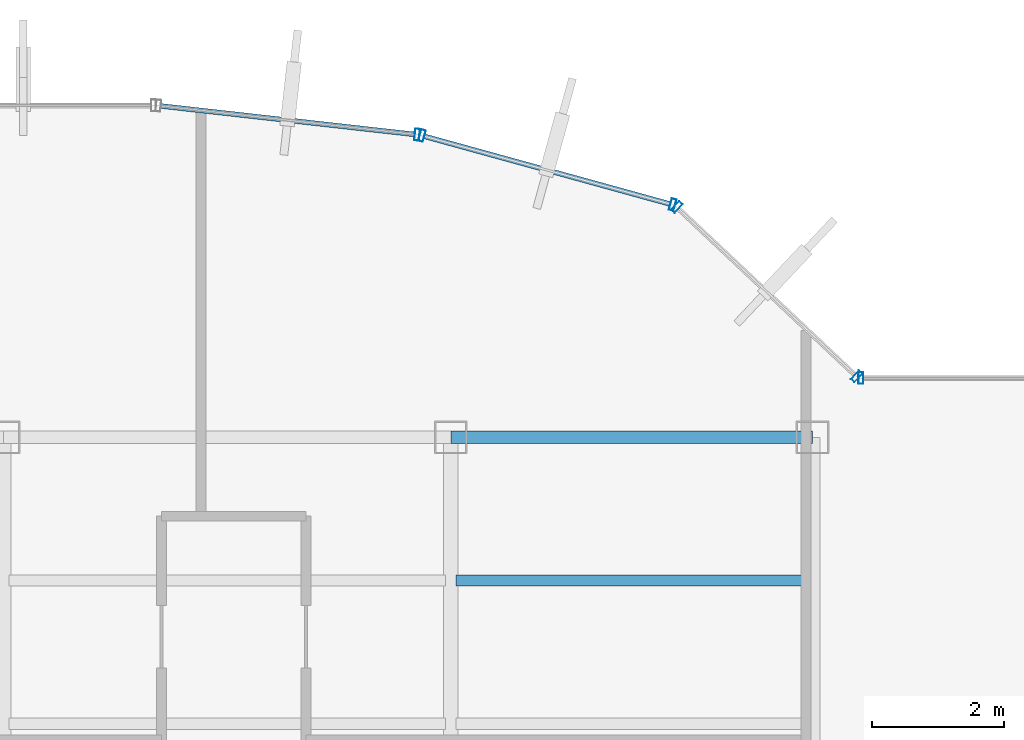
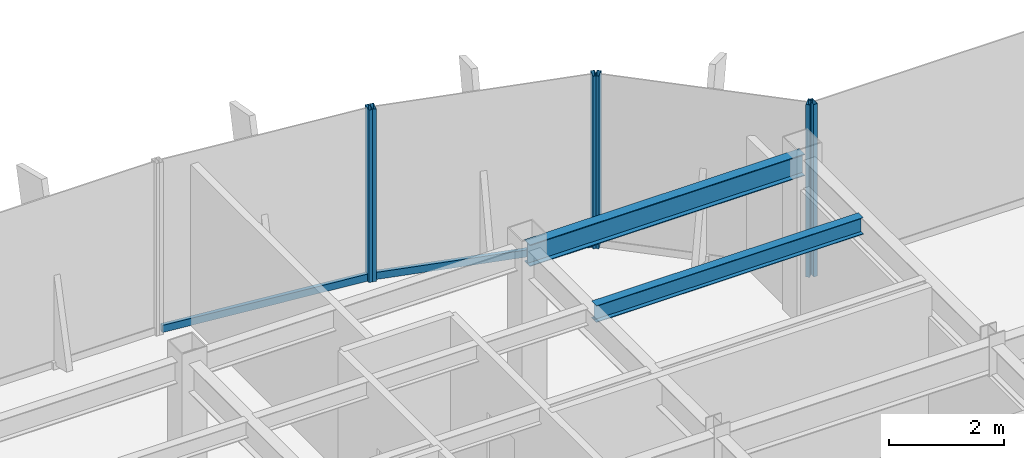
# One storey, part 14 of 22: 8 members, 2 beams, 4 elements without a shape of their own.
"""IFC4 building model written with IfcOpenShell, lengths in metres."""

from ifc_helpers import new_model, si_unit, derived_unit, direction, frame, origin, origin_2d, place, context, subcontext, project, spatial, hollow_rectangle, i_section, extrude, source, transform, mapped, material, material_profile, profile_set, type_object, element, aggregate, save


model = new_model("IFC4")

# Units and contexts
model_context = context("Model", 3, precision=1e-05, world=origin(), true_north=direction((0.0, 1.0)))
body_context = subcontext(model_context, "Body", "Model", "MODEL_VIEW")
ifc_project = project(units=[si_unit("LENGTHUNIT", "METRE"), si_unit("AREAUNIT", "SQUARE_METRE"), si_unit("VOLUMEUNIT", "CUBIC_METRE"), si_unit("PLANEANGLEUNIT", "RADIAN"), si_unit("MASSUNIT", "GRAM", prefix="KILO"), derived_unit("THERMALTRANSMITTANCEUNIT", [(si_unit("POWERUNIT", "WATT"), 1), (si_unit("LENGTHUNIT", "METRE"), -2), (si_unit("THERMODYNAMICTEMPERATUREUNIT", "KELVIN"), -1)])], contexts=[model_context])

# Site, building, storey
site_placement = place(None, origin())
site = spatial("IfcSite", under=ifc_project, at=site_placement, CompositionType="ELEMENT")
building_placement = place(site_placement, origin())
building = spatial("IfcBuilding", under=site, at=building_placement, Name="Skarnbrae Concourse Arena and Tower", CompositionType="ELEMENT")
storey_placement = place(building_placement, frame((0.0, 0.0, 195.89990234375)))
storey = spatial("IfcBuildingStorey", under=building, at=storey_placement, Name="L50", CompositionType="ELEMENT", Elevation=195.89990234375)

# Beams
ifc_material_1 = material(Name="Steel CSA G40.21 350W", Category="steel")
ifc_material_profile_1 = material_profile(ifc_material_1, i_section(OverallWidth=0.19091796875, OverallDepth=0.4599609375, WebThickness=0.010009765625, FlangeThickness=0.01611328125, at=origin_2d()), Name="W460X82")
ifc_profile_set_1 = profile_set([ifc_material_profile_1], Name="Steel CSA G40.21 350W")
beam_type_1 = type_object("IfcBeamType", Name="BM-SPAN-W460X82", PredefinedType="SPANDREL", material=ifc_profile_set_1)
shared_shape_1 = source(origin(), body_context, "Body", "SweptSolid", [
    extrude(i_section(OverallWidth=0.19091796875, OverallDepth=0.4599609375, WebThickness=0.010009765625, FlangeThickness=0.01611328125, at=origin_2d()), origin(), (0.0, 0.0, 1.0), 5.5),
])
beam_1_placement = place(storey_placement, frame((28.0, 34.39990234375, 3.170166015625), z_axis=(1.0, 0.0, 0.0), x_axis=(0.0, 1.0, 0.0)))
element("IfcBeam", 1, at=beam_1_placement, inside=storey, type_object=beam_type_1, Name="L50 Perimeter spandrel Y34.4-4", PredefinedType="SPANDREL", context=body_context, shape_type="MappedRepresentation", body=[
    mapped(shared_shape_1, transform((0.0, 0.0, 0.0))),
])
ifc_material_profile_2 = material_profile(ifc_material_1, i_section(OverallWidth=0.1708984375, OverallDepth=0.35498046875, WebThickness=0.007080078125, FlangeThickness=0.01171875, at=origin_2d()), Name="W360X51")
ifc_profile_set_2 = profile_set([ifc_material_profile_2], Name="Steel CSA G40.21 350W")
beam_type_2 = type_object("IfcBeamType", Name="BM-JOIST-W360X51", PredefinedType="JOIST", material=ifc_profile_set_2)
shared_shape_2 = source(origin(), body_context, "Body", "SweptSolid", [
    extrude(i_section(OverallWidth=0.1708984375, OverallDepth=0.35498046875, WebThickness=0.007080078125, FlangeThickness=0.01171875, at=origin_2d()), origin(), (0.0, 0.0, 1.0), 5.33984375),
])
beam_2_placement = place(storey_placement, frame((28.080078125, 32.221923828125, 3.22265625), z_axis=(1.0, 0.0, 0.0), x_axis=(0.0, 1.0, 0.0)))
element("IfcBeam", 2, at=beam_2_placement, inside=storey, type_object=beam_type_2, Name="L50 Secondary floor joist 3.2.4", PredefinedType="JOIST", context=body_context, shape_type="MappedRepresentation", body=[
    mapped(shared_shape_2, transform((0.0, 0.0, 0.0))),
])

# Curtain wall, member
ifc_material_2 = material(Name="Bronze anodised aluminium 6063-T6", Category="aluminium")
curtain_wall_type = type_object("IfcCurtainWallType", Name="CW-SYS-05-HIGHZONE", PredefinedType="USERDEFINED", material=ifc_material_2)
curtain_wall_1_placement = place(storey_placement, origin())
curtain_wall_1 = element("IfcCurtainWall", 3, at=curtain_wall_1_placement, inside=storey, type_object=curtain_wall_type, Name="L50 Unitised curtain wall CW-L50-E09", ObjectType="UNITISED CURTAIN WALL", PredefinedType="USERDEFINED")
ifc_material_profile_3 = material_profile(ifc_material_2, hollow_rectangle(XDim=0.074951171875, YDim=0.14990234375, WallThickness=0.00390625, at=origin_2d()), Name="ALU-TRAN-75X150")
ifc_profile_set_3 = profile_set([ifc_material_profile_3], Name="Bronze anodised aluminium 6063-T6")
member_type_1 = type_object("IfcMemberType", Name="CWT-CW-05", PredefinedType="USERDEFINED", material=ifc_profile_set_3)
shared_shape_3 = source(origin(), body_context, "Body", "SweptSolid", [
    extrude(hollow_rectangle(XDim=0.074951171875, YDim=0.14990234375, WallThickness=0.00390625, at=origin_2d()), origin(), (0.0, 0.0, 1.0), 3.878662109375),
])
member_1_placement = place(storey_placement, frame((31.33740234375, 37.946533203125, 0.0751953125), z_axis=(-0.964042677713, 0.265747465742, 0.0), x_axis=(-0.265747465742, -0.964042677713, 0.0)))
member_1 = element("IfcMember", 4, at=member_1_placement, type_object=member_type_1, Name="CW-L50-E09 Transom 1", ObjectType="TRANSOM", PredefinedType="USERDEFINED", context=body_context, shape_type="MappedRepresentation", body=[
    mapped(shared_shape_3, transform((0.0, 0.0, 0.0))),
])

curtain_wall_2_placement = place(storey_placement, origin())
curtain_wall_2 = element("IfcCurtainWall", 5, at=curtain_wall_2_placement, inside=storey, type_object=curtain_wall_type, Name="L50 Unitised curtain wall CW-L50-E10", ObjectType="UNITISED CURTAIN WALL", PredefinedType="USERDEFINED")
shared_shape_4 = source(origin(), body_context, "Body", "SweptSolid", [
    extrude(hollow_rectangle(XDim=0.074951171875, YDim=0.14990234375, WallThickness=0.00390625, at=origin_2d()), origin(), (0.0, 0.0, 1.0), 3.8837890625),
])
member_2_placement = place(storey_placement, frame((27.451416015625, 39.005615234375, 0.0751953125), z_axis=(-0.993776714154, 0.111390495128, 0.0), x_axis=(-0.111390495128, -0.993776714154, 0.0)))
member_2 = element("IfcMember", 6, at=member_2_placement, type_object=member_type_1, Name="CW-L50-E10 Transom 1", ObjectType="TRANSOM", PredefinedType="USERDEFINED", context=body_context, shape_type="MappedRepresentation", body=[
    mapped(shared_shape_4, transform((0.0, 0.0, 0.0))),
])

curtain_wall_3_placement = place(storey_placement, origin())
curtain_wall_3 = element("IfcCurtainWall", 7, at=curtain_wall_3_placement, inside=storey, type_object=curtain_wall_type, Name="L50 Unitised curtain wall CW-L50-E07", ObjectType="UNITISED CURTAIN WALL", PredefinedType="USERDEFINED")
ifc_material_profile_4 = material_profile(ifc_material_2, hollow_rectangle(XDim=0.074951171875, YDim=0.179931640625, WallThickness=0.00390625, at=origin_2d()), Name="ALU-MULL-75X180")
ifc_profile_set_4 = profile_set([ifc_material_profile_4], Name="Bronze anodised aluminium 6063-T6")
member_type_2 = type_object("IfcMemberType", Name="CWM-CW-05", PredefinedType="MULLION", material=ifc_profile_set_4)
shared_shape_5 = source(origin(), body_context, "Body", "SweptSolid", [
    extrude(hollow_rectangle(XDim=0.074951171875, YDim=0.179931640625, WallThickness=0.00390625, at=origin_2d()), origin(), (0.0, 0.0, 1.0), 3.650146484375),
])
member_3_placement = place(storey_placement, frame((34.237548828125, 35.300048828125, 0.0), z_axis=(0.0, 0.0, 1.0), x_axis=(-1.0, 0.0, 0.0)))
member_3 = element("IfcMember", 8, at=member_3_placement, type_object=member_type_2, Name="CW-L50-E07 Mullion 2", PredefinedType="MULLION", context=body_context, shape_type="MappedRepresentation", body=[
    mapped(shared_shape_5, transform((0.0, 0.0, 0.0))),
])
aggregate(curtain_wall_3, [member_3])

# Curtain wall, members
curtain_wall_4_placement = place(storey_placement, origin())
curtain_wall_4 = element("IfcCurtainWall", 9, at=curtain_wall_4_placement, inside=storey, type_object=curtain_wall_type, Name="L50 Unitised curtain wall CW-L50-E08", ObjectType="UNITISED CURTAIN WALL", PredefinedType="USERDEFINED")
member_4_placement = place(storey_placement, frame((34.172607421875, 35.32568359375, 0.0), z_axis=(0.0, 0.0, 1.0), x_axis=(-0.728130555214, 0.685438468838, 0.0)))
member_4 = element("IfcMember", 10, at=member_4_placement, type_object=member_type_2, Name="CW-L50-E08 Mullion 1", PredefinedType="MULLION", context=body_context, shape_type="MappedRepresentation", body=[
    mapped(shared_shape_5, transform((0.0, 0.0, 0.0))),
])
member_5_placement = place(storey_placement, frame((31.43701171875, 37.90087890625, 0.0), z_axis=(0.0, 0.0, 1.0), x_axis=(-0.728130555214, 0.685438468838, 0.0)))
member_5 = element("IfcMember", 11, at=member_5_placement, type_object=member_type_2, Name="CW-L50-E08 Mullion 2", PredefinedType="MULLION", context=body_context, shape_type="MappedRepresentation", body=[
    mapped(shared_shape_5, transform((0.0, 0.0, 0.0))),
])
aggregate(curtain_wall_4, [member_4, member_5])

# Member
member_6_placement = place(storey_placement, frame((31.37353515625, 37.936767578125, 0.0), z_axis=(0.0, 0.0, 1.0), x_axis=(-0.964057388766, 0.265694093207, 0.0)))
member_6 = element("IfcMember", 12, at=member_6_placement, type_object=member_type_2, Name="CW-L50-E09 Mullion 1", PredefinedType="MULLION", context=body_context, shape_type="MappedRepresentation", body=[
    mapped(shared_shape_5, transform((0.0, 0.0, 0.0))),
])

member_7_placement = place(storey_placement, frame((27.56201171875, 38.987060546875, 0.0), z_axis=(0.0, 0.0, 1.0), x_axis=(-0.964057388766, 0.265694093207, 0.0)))
member_7 = element("IfcMember", 13, at=member_7_placement, type_object=member_type_2, Name="CW-L50-E09 Mullion 2", PredefinedType="MULLION", context=body_context, shape_type="MappedRepresentation", body=[
    mapped(shared_shape_5, transform((0.0, 0.0, 0.0))),
])

aggregate(curtain_wall_1, [member_6, member_7, member_1])

member_8_placement = place(storey_placement, frame((27.488525390625, 39.001220703125, 0.0), z_axis=(0.0, 0.0, 1.0), x_axis=(-0.993768891873, 0.111460259941, 0.0)))
member_8 = element("IfcMember", 14, at=member_8_placement, type_object=member_type_2, Name="CW-L50-E10 Mullion 1", PredefinedType="MULLION", context=body_context, shape_type="MappedRepresentation", body=[
    mapped(shared_shape_5, transform((0.0, 0.0, 0.0))),
])

aggregate(curtain_wall_2, [member_8, member_2])

save(model, "model.ifc")
